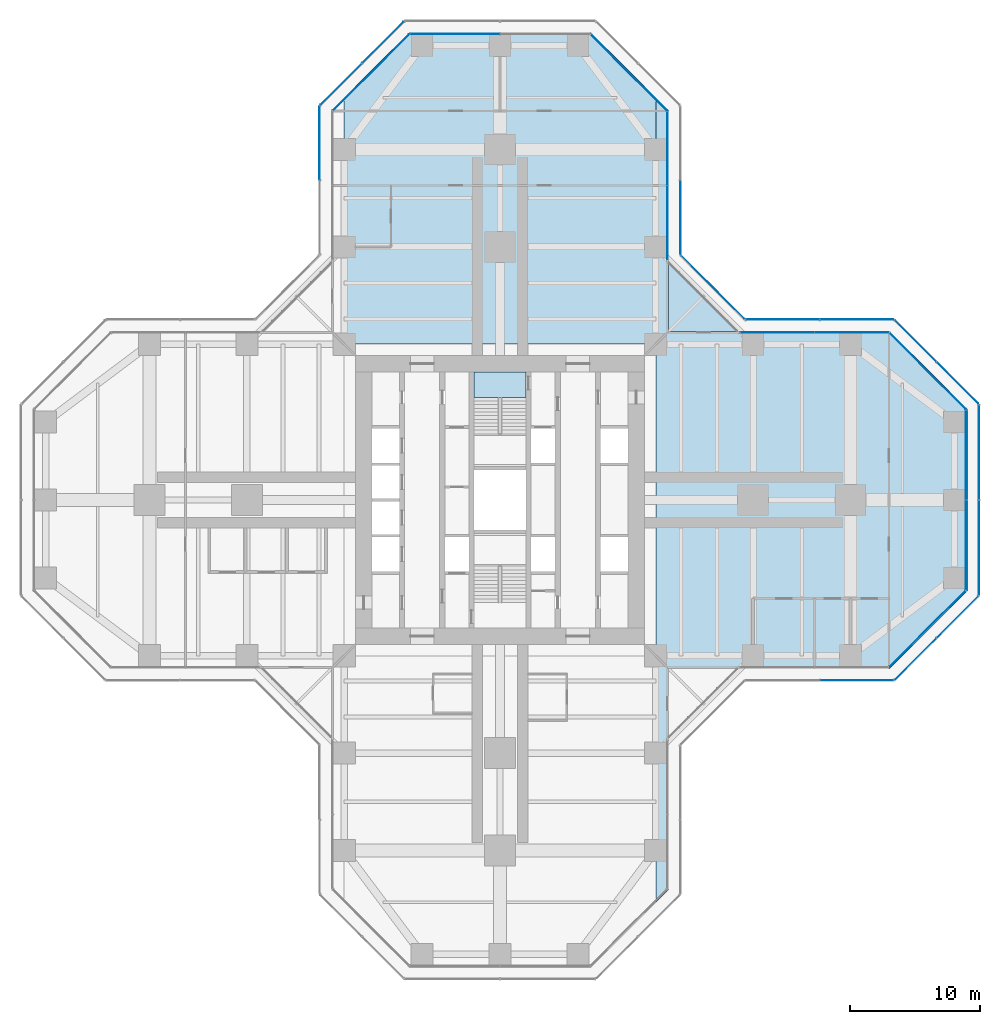
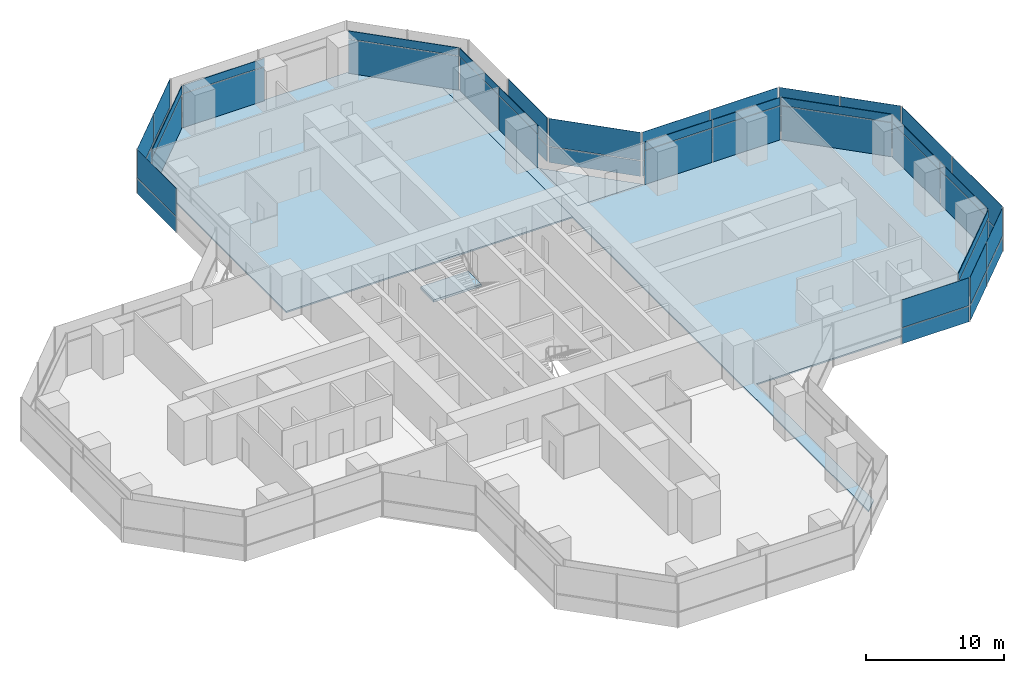
# One storey, part 16 of 22: 50 plates, 4 slabs, 18 elements without a shape of their own.
"""IFC4 building model written with IfcOpenShell, lengths in metres."""

from ifc_helpers import new_model, si_unit, direction, frame, origin, origin_2d, place, context, subcontext, project, spatial, polyline, rectangle, outline, extrude, material, layer, layer_set, type_object, element, aggregate, save


model = new_model("IFC4")

# Units and contexts
model_context = context("Model", 3, precision=1e-05, world=origin(), true_north=direction((0.0, 1.0)))
body_context = subcontext(model_context, "Body", "Model", "MODEL_VIEW")
ifc_project = project(units=[si_unit("LENGTHUNIT", "METRE"), si_unit("AREAUNIT", "SQUARE_METRE"), si_unit("VOLUMEUNIT", "CUBIC_METRE"), si_unit("PLANEANGLEUNIT", "RADIAN"), si_unit("MASSUNIT", "GRAM", prefix="KILO")], contexts=[model_context])

# Site, building, storey
site_placement = place(None, origin())
site = spatial("IfcSite", under=ifc_project, at=site_placement, CompositionType="ELEMENT")
building_placement = place(site_placement, origin())
building = spatial("IfcBuilding", under=site, at=building_placement, Name="Mizan Broadcast Tower", CompositionType="ELEMENT")
storey_placement = place(building_placement, frame((0.0, 0.0, 47.39990234375)))
storey = spatial("IfcBuildingStorey", under=building, at=storey_placement, Name="L08", CompositionType="ELEMENT", Elevation=47.39990234375)

# Slabs
ifc_material_1 = material(Name="Concrete C32/40", Category="concrete")
ifc_layer_1 = layer(ifc_material_1, 0.1298828125)
ifc_layer_set_1 = layer_set([ifc_layer_1], Name="Concrete C32/40")
slab_type_1 = type_object("IfcSlabType", Name="COMPOSITE DECK SLAB 130", PredefinedType="FLOOR", material=ifc_layer_set_1)
slab_1_placement = place(storey_placement, frame((0.0, 0.0, -0.1298828125)))
element("IfcSlab", 1, at=slab_1_placement, inside=storey, type_object=slab_type_1, Name="Floor slab L08 east arm", PredefinedType="FLOOR", context=body_context, shape_type="SweptSolid", body=[
    extrude(outline(polyline([(12.0, -31.0), (13.0, -30.0), (13.0, -13.0), (30.0, -13.0), (36.0, -7.0), (36.0, 7.0), (30.0, 13.0), (13.0, 13.0), (13.0, 30.0), (12.0, 31.0), (12.0, -31.0)])), origin(), (0.0, 0.0, 1.0), 0.1298828125),
])
slab_2_placement = place(storey_placement, frame((0.0, 0.0, -0.1298828125)))
element("IfcSlab", 2, at=slab_2_placement, inside=storey, type_object=slab_type_1, Name="Floor slab L08 north arm", PredefinedType="FLOOR", context=body_context, shape_type="SweptSolid", body=[
    extrude(outline(polyline([(-7.0, 36.0), (-12.0, 31.0), (-12.0, 12.0), (12.0, 12.0), (12.0, 31.0), (7.0, 36.0), (-7.0, 36.0)])), origin(), (0.0, 0.0, 1.0), 0.1298828125),
])

# Curtain wall, plate
ifc_material_2 = material(Name="Aluminium framed glazing", Category="aluminium")
curtain_wall_type_1 = type_object("IfcCurtainWallType", Name="INNER SKIN LOW ZONE", PredefinedType="USERDEFINED", material=ifc_material_2)
curtain_wall_1_placement = place(storey_placement, origin())
curtain_wall_1 = element("IfcCurtainWall", 3, at=curtain_wall_1_placement, inside=storey, type_object=curtain_wall_type_1, Name="Inner skin low zone L08 E chamfer", ObjectType="INNER SKIN LOW ZONE", PredefinedType="USERDEFINED")
ifc_material_3 = material(Name="Double glazing, clear low-e", Category="glass")
ifc_layer_2 = layer(ifc_material_3, 0.028076171875)
ifc_layer_set_2 = layer_set([ifc_layer_2], Name="Double glazing, clear low-e")
plate_type_1 = type_object("IfcPlateType", Name="INNER SKIN GLAZING UNIT", PredefinedType="CURTAIN_PANEL", material=ifc_layer_set_2)
plate_1_placement = place(storey_placement, frame((32.92919921875, -9.92919921875, 0.0), z_axis=(0.0, 0.0, 1.0), x_axis=(0.707106781187, 0.707106781187, 0.0)))
plate_1 = element("IfcPlate", 4, at=plate_1_placement, type_object=plate_type_1, Name="Inner skin low zone L08 E chamfer panel 1.1", PredefinedType="CURTAIN_PANEL", context=body_context, shape_type="SweptSolid", body=[
    extrude(rectangle(XDim=8.282470703125, YDim=0.028076171875, at=origin_2d()), origin(), (0.0, 0.0, 1.0), 3.0),
])

# Curtain wall, plates
curtain_wall_2_placement = place(storey_placement, origin())
curtain_wall_2 = element("IfcCurtainWall", 5, at=curtain_wall_2_placement, inside=storey, type_object=curtain_wall_type_1, Name="Inner skin low zone L08 E end", ObjectType="INNER SKIN LOW ZONE", PredefinedType="USERDEFINED")
plate_2_placement = place(storey_placement, frame((35.89990234375, -3.46435546875, 0.0), z_axis=(0.0, 0.0, 1.0), x_axis=(0.0, 1.0, 0.0)))
plate_2 = element("IfcPlate", 6, at=plate_2_placement, type_object=plate_type_1, Name="Inner skin low zone L08 E end panel 1.1", PredefinedType="CURTAIN_PANEL", context=body_context, shape_type="SweptSolid", body=[
    extrude(rectangle(XDim=6.86865234375, YDim=0.028076171875, at=origin_2d()), origin(), (0.0, 0.0, 1.0), 3.0),
])
plate_3_placement = place(storey_placement, frame((35.89990234375, 3.46435546875, 0.0), z_axis=(0.0, 0.0, 1.0), x_axis=(0.0, 1.0, 0.0)))
plate_3 = element("IfcPlate", 7, at=plate_3_placement, type_object=plate_type_1, Name="Inner skin low zone L08 E end panel 2.1", PredefinedType="CURTAIN_PANEL", context=body_context, shape_type="SweptSolid", body=[
    extrude(rectangle(XDim=6.86865234375, YDim=0.028076171875, at=origin_2d()), origin(), (0.0, 0.0, 1.0), 3.0),
])

# Curtain wall, plate
curtain_wall_3_placement = place(storey_placement, origin())
curtain_wall_3 = element("IfcCurtainWall", 8, at=curtain_wall_3_placement, inside=storey, type_object=curtain_wall_type_1, Name="Inner skin low zone L08 E chamfer", ObjectType="INNER SKIN LOW ZONE", PredefinedType="USERDEFINED")
plate_4_placement = place(storey_placement, frame((32.92919921875, 9.92919921875, 0.0), z_axis=(0.0, 0.0, 1.0), x_axis=(-0.707106781187, 0.707106781187, 0.0)))
plate_4 = element("IfcPlate", 9, at=plate_4_placement, type_object=plate_type_1, Name="Inner skin low zone L08 E chamfer panel 1.1", PredefinedType="CURTAIN_PANEL", context=body_context, shape_type="SweptSolid", body=[
    extrude(rectangle(XDim=8.282470703125, YDim=0.028076171875, at=origin_2d()), origin(), (0.0, 0.0, 1.0), 3.0),
])

# Curtain wall, plates
curtain_wall_4_placement = place(storey_placement, origin())
curtain_wall_4 = element("IfcCurtainWall", 10, at=curtain_wall_4_placement, inside=storey, type_object=curtain_wall_type_1, Name="Inner skin low zone L08 E side", ObjectType="INNER SKIN LOW ZONE", PredefinedType="USERDEFINED")
plate_5_placement = place(storey_placement, frame((27.078857421875, 12.89990234375, 0.0), z_axis=(0.0, 0.0, 1.0), x_axis=(-1.0, 0.0, 0.0)))
plate_5 = element("IfcPlate", 11, at=plate_5_placement, type_object=plate_type_1, Name="Inner skin low zone L08 E side panel 1.1", PredefinedType="CURTAIN_PANEL", context=body_context, shape_type="SweptSolid", body=[
    extrude(rectangle(XDim=5.639404296875, YDim=0.028076171875, at=origin_2d()), origin(), (0.0, 0.0, 1.0), 3.0),
])
plate_6_placement = place(storey_placement, frame((21.379638671875, 12.89990234375, 0.0), z_axis=(0.0, 0.0, 1.0), x_axis=(-1.0, 0.0, 0.0)))
plate_6 = element("IfcPlate", 12, at=plate_6_placement, type_object=plate_type_1, Name="Inner skin low zone L08 E side panel 2.1", PredefinedType="CURTAIN_PANEL", context=body_context, shape_type="SweptSolid", body=[
    extrude(rectangle(XDim=5.639404296875, YDim=0.028076171875, at=origin_2d()), origin(), (0.0, 0.0, 1.0), 3.0),
])

curtain_wall_5_placement = place(storey_placement, origin())
curtain_wall_5 = element("IfcCurtainWall", 13, at=curtain_wall_5_placement, inside=storey, type_object=curtain_wall_type_1, Name="Inner skin low zone L08 N side", ObjectType="INNER SKIN LOW ZONE", PredefinedType="USERDEFINED")
plate_7_placement = place(storey_placement, frame((12.89990234375, 21.379638671875, 0.0), z_axis=(0.0, 0.0, 1.0), x_axis=(0.0, 1.0, 0.0)))
plate_7 = element("IfcPlate", 14, at=plate_7_placement, type_object=plate_type_1, Name="Inner skin low zone L08 N side panel 1.1", PredefinedType="CURTAIN_PANEL", context=body_context, shape_type="SweptSolid", body=[
    extrude(rectangle(XDim=5.639404296875, YDim=0.028076171875, at=origin_2d()), origin(), (0.0, 0.0, 1.0), 3.0),
])
plate_8_placement = place(storey_placement, frame((12.89990234375, 27.078857421875, 0.0), z_axis=(0.0, 0.0, 1.0), x_axis=(0.0, 1.0, 0.0)))
plate_8 = element("IfcPlate", 15, at=plate_8_placement, type_object=plate_type_1, Name="Inner skin low zone L08 N side panel 2.1", PredefinedType="CURTAIN_PANEL", context=body_context, shape_type="SweptSolid", body=[
    extrude(rectangle(XDim=5.639404296875, YDim=0.028076171875, at=origin_2d()), origin(), (0.0, 0.0, 1.0), 3.0),
])

# Curtain wall, plate
curtain_wall_6_placement = place(storey_placement, origin())
curtain_wall_6 = element("IfcCurtainWall", 16, at=curtain_wall_6_placement, inside=storey, type_object=curtain_wall_type_1, Name="Inner skin low zone L08 N chamfer", ObjectType="INNER SKIN LOW ZONE", PredefinedType="USERDEFINED")
plate_9_placement = place(storey_placement, frame((9.92919921875, 32.92919921875, 0.0), z_axis=(0.0, 0.0, 1.0), x_axis=(-0.707106781187, 0.707106781187, 0.0)))
plate_9 = element("IfcPlate", 17, at=plate_9_placement, type_object=plate_type_1, Name="Inner skin low zone L08 N chamfer panel 1.1", PredefinedType="CURTAIN_PANEL", context=body_context, shape_type="SweptSolid", body=[
    extrude(rectangle(XDim=8.282470703125, YDim=0.028076171875, at=origin_2d()), origin(), (0.0, 0.0, 1.0), 3.0),
])

curtain_wall_7_placement = place(storey_placement, origin())
curtain_wall_7 = element("IfcCurtainWall", 18, at=curtain_wall_7_placement, inside=storey, type_object=curtain_wall_type_1, Name="Inner skin low zone L08 N end", ObjectType="INNER SKIN LOW ZONE", PredefinedType="USERDEFINED")
plate_10_placement = place(storey_placement, frame((-3.46435546875, 35.89990234375, 0.0), z_axis=(0.0, 0.0, 1.0), x_axis=(-1.0, 0.0, 0.0)))
plate_10 = element("IfcPlate", 19, at=plate_10_placement, type_object=plate_type_1, Name="Inner skin low zone L08 N end panel 2.1", PredefinedType="CURTAIN_PANEL", context=body_context, shape_type="SweptSolid", body=[
    extrude(rectangle(XDim=6.86865234375, YDim=0.028076171875, at=origin_2d()), origin(), (0.0, 0.0, 1.0), 3.0),
])

curtain_wall_8_placement = place(storey_placement, origin())
curtain_wall_8 = element("IfcCurtainWall", 20, at=curtain_wall_8_placement, inside=storey, type_object=curtain_wall_type_1, Name="Inner skin low zone L08 N chamfer", ObjectType="INNER SKIN LOW ZONE", PredefinedType="USERDEFINED")
plate_11_placement = place(storey_placement, frame((-9.92919921875, 32.92919921875, 0.0), z_axis=(0.0, 0.0, 1.0), x_axis=(-0.707106781187, -0.707106781187, 0.0)))
plate_11 = element("IfcPlate", 21, at=plate_11_placement, type_object=plate_type_1, Name="Inner skin low zone L08 N chamfer panel 1.1", PredefinedType="CURTAIN_PANEL", context=body_context, shape_type="SweptSolid", body=[
    extrude(rectangle(XDim=8.282470703125, YDim=0.028076171875, at=origin_2d()), origin(), (0.0, 0.0, 1.0), 3.0),
])

# Plate
ifc_material_4 = material(Name="Insulated aluminium spandrel panel, pale anodised", Category="aluminium")
ifc_layer_3 = layer(ifc_material_4, 0.050048828125)
ifc_layer_set_3 = layer_set([ifc_layer_3], Name="Insulated aluminium spandrel panel, pale anodised")
plate_type_2 = type_object("IfcPlateType", Name="INNER SKIN SPANDREL PANEL", PredefinedType="CURTAIN_PANEL", material=ifc_layer_set_3)
plate_12_placement = place(storey_placement, frame((32.92919921875, -9.92919921875, 3.06005859375), z_axis=(0.0, 0.0, 1.0), x_axis=(0.707106781187, 0.707106781187, 0.0)))
plate_12 = element("IfcPlate", 22, at=plate_12_placement, type_object=plate_type_2, Name="Inner skin low zone L08 E chamfer panel 1.2", PredefinedType="CURTAIN_PANEL", context=body_context, shape_type="SweptSolid", body=[
    extrude(rectangle(XDim=8.282470703125, YDim=0.050048828125, at=origin_2d()), origin(), (0.0, 0.0, 1.0), 0.7099609375),
])

aggregate(curtain_wall_1, [plate_1, plate_12])

plate_13_placement = place(storey_placement, frame((35.89990234375, -3.46435546875, 3.06005859375), z_axis=(0.0, 0.0, 1.0), x_axis=(0.0, 1.0, 0.0)))
plate_13 = element("IfcPlate", 23, at=plate_13_placement, type_object=plate_type_2, Name="Inner skin low zone L08 E end panel 1.2", PredefinedType="CURTAIN_PANEL", context=body_context, shape_type="SweptSolid", body=[
    extrude(rectangle(XDim=6.86865234375, YDim=0.050048828125, at=origin_2d()), origin(), (0.0, 0.0, 1.0), 0.7099609375),
])

plate_14_placement = place(storey_placement, frame((35.89990234375, 3.46435546875, 3.06005859375), z_axis=(0.0, 0.0, 1.0), x_axis=(0.0, 1.0, 0.0)))
plate_14 = element("IfcPlate", 24, at=plate_14_placement, type_object=plate_type_2, Name="Inner skin low zone L08 E end panel 2.2", PredefinedType="CURTAIN_PANEL", context=body_context, shape_type="SweptSolid", body=[
    extrude(rectangle(XDim=6.86865234375, YDim=0.050048828125, at=origin_2d()), origin(), (0.0, 0.0, 1.0), 0.7099609375),
])

aggregate(curtain_wall_2, [plate_2, plate_13, plate_3, plate_14])

plate_15_placement = place(storey_placement, frame((32.92919921875, 9.92919921875, 3.06005859375), z_axis=(0.0, 0.0, 1.0), x_axis=(-0.707106781187, 0.707106781187, 0.0)))
plate_15 = element("IfcPlate", 25, at=plate_15_placement, type_object=plate_type_2, Name="Inner skin low zone L08 E chamfer panel 1.2", PredefinedType="CURTAIN_PANEL", context=body_context, shape_type="SweptSolid", body=[
    extrude(rectangle(XDim=8.282470703125, YDim=0.050048828125, at=origin_2d()), origin(), (0.0, 0.0, 1.0), 0.7099609375),
])

aggregate(curtain_wall_3, [plate_4, plate_15])

plate_16_placement = place(storey_placement, frame((27.078857421875, 12.89990234375, 3.06005859375), z_axis=(0.0, 0.0, 1.0), x_axis=(-1.0, 0.0, 0.0)))
plate_16 = element("IfcPlate", 26, at=plate_16_placement, type_object=plate_type_2, Name="Inner skin low zone L08 E side panel 1.2", PredefinedType="CURTAIN_PANEL", context=body_context, shape_type="SweptSolid", body=[
    extrude(rectangle(XDim=5.639404296875, YDim=0.050048828125, at=origin_2d()), origin(), (0.0, 0.0, 1.0), 0.7099609375),
])

plate_17_placement = place(storey_placement, frame((21.379638671875, 12.89990234375, 3.06005859375), z_axis=(0.0, 0.0, 1.0), x_axis=(-1.0, 0.0, 0.0)))
plate_17 = element("IfcPlate", 27, at=plate_17_placement, type_object=plate_type_2, Name="Inner skin low zone L08 E side panel 2.2", PredefinedType="CURTAIN_PANEL", context=body_context, shape_type="SweptSolid", body=[
    extrude(rectangle(XDim=5.639404296875, YDim=0.050048828125, at=origin_2d()), origin(), (0.0, 0.0, 1.0), 0.7099609375),
])

aggregate(curtain_wall_4, [plate_5, plate_16, plate_6, plate_17])

plate_18_placement = place(storey_placement, frame((12.89990234375, 21.379638671875, 3.06005859375), z_axis=(0.0, 0.0, 1.0), x_axis=(0.0, 1.0, 0.0)))
plate_18 = element("IfcPlate", 28, at=plate_18_placement, type_object=plate_type_2, Name="Inner skin low zone L08 N side panel 1.2", PredefinedType="CURTAIN_PANEL", context=body_context, shape_type="SweptSolid", body=[
    extrude(rectangle(XDim=5.639404296875, YDim=0.050048828125, at=origin_2d()), origin(), (0.0, 0.0, 1.0), 0.7099609375),
])

plate_19_placement = place(storey_placement, frame((12.89990234375, 27.078857421875, 3.06005859375), z_axis=(0.0, 0.0, 1.0), x_axis=(0.0, 1.0, 0.0)))
plate_19 = element("IfcPlate", 29, at=plate_19_placement, type_object=plate_type_2, Name="Inner skin low zone L08 N side panel 2.2", PredefinedType="CURTAIN_PANEL", context=body_context, shape_type="SweptSolid", body=[
    extrude(rectangle(XDim=5.639404296875, YDim=0.050048828125, at=origin_2d()), origin(), (0.0, 0.0, 1.0), 0.7099609375),
])

aggregate(curtain_wall_5, [plate_7, plate_18, plate_8, plate_19])

plate_20_placement = place(storey_placement, frame((9.92919921875, 32.92919921875, 3.06005859375), z_axis=(0.0, 0.0, 1.0), x_axis=(-0.707106781187, 0.707106781187, 0.0)))
plate_20 = element("IfcPlate", 30, at=plate_20_placement, type_object=plate_type_2, Name="Inner skin low zone L08 N chamfer panel 1.2", PredefinedType="CURTAIN_PANEL", context=body_context, shape_type="SweptSolid", body=[
    extrude(rectangle(XDim=8.282470703125, YDim=0.050048828125, at=origin_2d()), origin(), (0.0, 0.0, 1.0), 0.7099609375),
])

aggregate(curtain_wall_6, [plate_9, plate_20])

plate_21_placement = place(storey_placement, frame((-3.46435546875, 35.89990234375, 3.06005859375), z_axis=(0.0, 0.0, 1.0), x_axis=(-1.0, 0.0, 0.0)))
plate_21 = element("IfcPlate", 31, at=plate_21_placement, type_object=plate_type_2, Name="Inner skin low zone L08 N end panel 2.2", PredefinedType="CURTAIN_PANEL", context=body_context, shape_type="SweptSolid", body=[
    extrude(rectangle(XDim=6.86865234375, YDim=0.050048828125, at=origin_2d()), origin(), (0.0, 0.0, 1.0), 0.7099609375),
])

aggregate(curtain_wall_7, [plate_10, plate_21])

plate_22_placement = place(storey_placement, frame((-9.92919921875, 32.92919921875, 3.06005859375), z_axis=(0.0, 0.0, 1.0), x_axis=(-0.707106781187, -0.707106781187, 0.0)))
plate_22 = element("IfcPlate", 32, at=plate_22_placement, type_object=plate_type_2, Name="Inner skin low zone L08 N chamfer panel 1.2", PredefinedType="CURTAIN_PANEL", context=body_context, shape_type="SweptSolid", body=[
    extrude(rectangle(XDim=8.282470703125, YDim=0.050048828125, at=origin_2d()), origin(), (0.0, 0.0, 1.0), 0.7099609375),
])

aggregate(curtain_wall_8, [plate_11, plate_22])

# Curtain wall, plates
ifc_material_5 = material(Name="Aluminium framed glazing", Category="aluminium")
curtain_wall_type_2 = type_object("IfcCurtainWallType", Name="OUTER SKIN", PredefinedType="USERDEFINED", material=ifc_material_5)
curtain_wall_9_placement = place(storey_placement, origin())
curtain_wall_9 = element("IfcCurtainWall", 33, at=curtain_wall_9_placement, inside=storey, type_object=curtain_wall_type_2, Name="Outer skin L08 E chamfer", ObjectType="OUTER SKIN", PredefinedType="USERDEFINED")
ifc_material_6 = material(Name="Laminated clear glass", Category="glass")
ifc_layer_4 = layer(ifc_material_6, 0.02001953125)
ifc_layer_set_4 = layer_set([ifc_layer_4], Name="Laminated clear glass")
plate_type_3 = type_object("IfcPlateType", Name="OUTER SKIN CLEAR GLASS", PredefinedType="CURTAIN_PANEL", material=ifc_layer_set_4)
plate_23_placement = place(storey_placement, frame((32.018798828125, -12.254150390625, 0.0), z_axis=(0.0, 0.0, 1.0), x_axis=(0.707106781187, 0.707106781187, 0.0)))
plate_23 = element("IfcPlate", 34, at=plate_23_placement, type_object=plate_type_3, Name="Outer skin L08 E chamfer panel 1.1", PredefinedType="CURTAIN_PANEL", context=body_context, shape_type="SweptSolid", body=[
    extrude(rectangle(XDim=4.495361328125, YDim=0.02001953125, at=origin_2d()), origin(), (0.0, 0.0, 1.0), 1.3701171875),
])
plate_24_placement = place(storey_placement, frame((32.018798828125, -12.254150390625, 1.43017578125), z_axis=(0.0, 0.0, 1.0), x_axis=(0.707106781187, 0.707106781187, 0.0)))
plate_24 = element("IfcPlate", 35, at=plate_24_placement, type_object=plate_type_3, Name="Outer skin L08 E chamfer panel 1.2", PredefinedType="CURTAIN_PANEL", context=body_context, shape_type="SweptSolid", body=[
    extrude(rectangle(XDim=4.495361328125, YDim=0.02001953125, at=origin_2d()), origin(), (0.0, 0.0, 1.0), 2.469970703125),
])

curtain_wall_10_placement = place(storey_placement, origin())
curtain_wall_10 = element("IfcCurtainWall", 36, at=curtain_wall_10_placement, inside=storey, type_object=curtain_wall_type_2, Name="Outer skin L08 E end", ObjectType="OUTER SKIN", PredefinedType="USERDEFINED")
plate_25_placement = place(storey_placement, frame((36.89990234375, -3.66650390625, 0.0), z_axis=(0.0, 0.0, 1.0), x_axis=(0.0, 1.0, 0.0)))
plate_25 = element("IfcPlate", 37, at=plate_25_placement, type_object=plate_type_3, Name="Outer skin L08 E end panel 1.1", PredefinedType="CURTAIN_PANEL", context=body_context, shape_type="SweptSolid", body=[
    extrude(rectangle(XDim=7.252685546875, YDim=0.02001953125, at=origin_2d()), origin(), (0.0, 0.0, 1.0), 1.3701171875),
])
plate_26_placement = place(storey_placement, frame((36.89990234375, -3.66650390625, 1.43017578125), z_axis=(0.0, 0.0, 1.0), x_axis=(0.0, 1.0, 0.0)))
plate_26 = element("IfcPlate", 38, at=plate_26_placement, type_object=plate_type_3, Name="Outer skin L08 E end panel 1.2", PredefinedType="CURTAIN_PANEL", context=body_context, shape_type="SweptSolid", body=[
    extrude(rectangle(XDim=7.252685546875, YDim=0.02001953125, at=origin_2d()), origin(), (0.0, 0.0, 1.0), 2.469970703125),
])

curtain_wall_11_placement = place(storey_placement, origin())
curtain_wall_11 = element("IfcCurtainWall", 39, at=curtain_wall_11_placement, inside=storey, type_object=curtain_wall_type_2, Name="Outer skin L08 E chamfer", ObjectType="OUTER SKIN", PredefinedType="USERDEFINED")
plate_27_placement = place(storey_placement, frame((35.254150390625, 9.018798828125, 0.0), z_axis=(0.0, 0.0, 1.0), x_axis=(-0.707106781187, 0.707106781187, 0.0)))
plate_27 = element("IfcPlate", 40, at=plate_27_placement, type_object=plate_type_3, Name="Outer skin L08 E chamfer panel 1.1", PredefinedType="CURTAIN_PANEL", context=body_context, shape_type="SweptSolid", body=[
    extrude(rectangle(XDim=4.495361328125, YDim=0.02001953125, at=origin_2d()), origin(), (0.0, 0.0, 1.0), 1.3701171875),
])
plate_28_placement = place(storey_placement, frame((35.254150390625, 9.018798828125, 1.43017578125), z_axis=(0.0, 0.0, 1.0), x_axis=(-0.707106781187, 0.707106781187, 0.0)))
plate_28 = element("IfcPlate", 41, at=plate_28_placement, type_object=plate_type_3, Name="Outer skin L08 E chamfer panel 1.2", PredefinedType="CURTAIN_PANEL", context=body_context, shape_type="SweptSolid", body=[
    extrude(rectangle(XDim=4.495361328125, YDim=0.02001953125, at=origin_2d()), origin(), (0.0, 0.0, 1.0), 2.469970703125),
])

curtain_wall_12_placement = place(storey_placement, origin())
curtain_wall_12 = element("IfcCurtainWall", 42, at=curtain_wall_12_placement, inside=storey, type_object=curtain_wall_type_2, Name="Outer skin L08 E side", ObjectType="OUTER SKIN", PredefinedType="USERDEFINED")
plate_29_placement = place(storey_placement, frame((27.477783203125, 13.89990234375, 0.0), z_axis=(0.0, 0.0, 1.0), x_axis=(-1.0, 0.0, 0.0)))
plate_29 = element("IfcPlate", 43, at=plate_29_placement, type_object=plate_type_3, Name="Outer skin L08 E side panel 1.1", PredefinedType="CURTAIN_PANEL", context=body_context, shape_type="SweptSolid", body=[
    extrude(rectangle(XDim=5.6298828125, YDim=0.02001953125, at=origin_2d()), origin(), (0.0, 0.0, 1.0), 1.3701171875),
])
plate_30_placement = place(storey_placement, frame((27.477783203125, 13.89990234375, 1.43017578125), z_axis=(0.0, 0.0, 1.0), x_axis=(-1.0, 0.0, 0.0)))
plate_30 = element("IfcPlate", 44, at=plate_30_placement, type_object=plate_type_3, Name="Outer skin L08 E side panel 1.2", PredefinedType="CURTAIN_PANEL", context=body_context, shape_type="SweptSolid", body=[
    extrude(rectangle(XDim=5.6298828125, YDim=0.02001953125, at=origin_2d()), origin(), (0.0, 0.0, 1.0), 2.469970703125),
])
plate_31_placement = place(storey_placement, frame((21.767822265625, 13.89990234375, 0.0), z_axis=(0.0, 0.0, 1.0), x_axis=(-1.0, 0.0, 0.0)))
plate_31 = element("IfcPlate", 45, at=plate_31_placement, type_object=plate_type_3, Name="Outer skin L08 E side panel 2.1", PredefinedType="CURTAIN_PANEL", context=body_context, shape_type="SweptSolid", body=[
    extrude(rectangle(XDim=5.6298828125, YDim=0.02001953125, at=origin_2d()), origin(), (0.0, 0.0, 1.0), 1.3701171875),
])
plate_32_placement = place(storey_placement, frame((21.767822265625, 13.89990234375, 1.43017578125), z_axis=(0.0, 0.0, 1.0), x_axis=(-1.0, 0.0, 0.0)))
plate_32 = element("IfcPlate", 46, at=plate_32_placement, type_object=plate_type_3, Name="Outer skin L08 E side panel 2.2", PredefinedType="CURTAIN_PANEL", context=body_context, shape_type="SweptSolid", body=[
    extrude(rectangle(XDim=5.6298828125, YDim=0.02001953125, at=origin_2d()), origin(), (0.0, 0.0, 1.0), 2.469970703125),
])
aggregate(curtain_wall_12, [plate_29, plate_30, plate_31, plate_32])

curtain_wall_13_placement = place(storey_placement, origin())
curtain_wall_13 = element("IfcCurtainWall", 47, at=curtain_wall_13_placement, inside=storey, type_object=curtain_wall_type_2, Name="Outer skin L08 E chamfer", ObjectType="OUTER SKIN", PredefinedType="USERDEFINED")
plate_33_placement = place(storey_placement, frame((16.386474609375, 16.386474609375, 0.0), z_axis=(0.0, 0.0, 1.0), x_axis=(-0.707106781187, 0.707106781187, 0.0)))
plate_33 = element("IfcPlate", 48, at=plate_33_placement, type_object=plate_type_3, Name="Outer skin L08 E chamfer panel 1.1", PredefinedType="CURTAIN_PANEL", context=body_context, shape_type="SweptSolid", body=[
    extrude(rectangle(XDim=6.87255859375, YDim=0.02001953125, at=origin_2d()), origin(), (0.0, 0.0, 1.0), 1.3701171875),
])
plate_34_placement = place(storey_placement, frame((16.386474609375, 16.386474609375, 1.43017578125), z_axis=(0.0, 0.0, 1.0), x_axis=(-0.707106781187, 0.707106781187, 0.0)))
plate_34 = element("IfcPlate", 49, at=plate_34_placement, type_object=plate_type_3, Name="Outer skin L08 E chamfer panel 1.2", PredefinedType="CURTAIN_PANEL", context=body_context, shape_type="SweptSolid", body=[
    extrude(rectangle(XDim=6.87255859375, YDim=0.02001953125, at=origin_2d()), origin(), (0.0, 0.0, 1.0), 2.469970703125),
])
aggregate(curtain_wall_13, [plate_33, plate_34])

curtain_wall_14_placement = place(storey_placement, origin())
curtain_wall_14 = element("IfcCurtainWall", 50, at=curtain_wall_14_placement, inside=storey, type_object=curtain_wall_type_2, Name="Outer skin L08 N side", ObjectType="OUTER SKIN", PredefinedType="USERDEFINED")
plate_35_placement = place(storey_placement, frame((13.89990234375, 21.767822265625, 0.0), z_axis=(0.0, 0.0, 1.0), x_axis=(0.0, 1.0, 0.0)))
plate_35 = element("IfcPlate", 51, at=plate_35_placement, type_object=plate_type_3, Name="Outer skin L08 N side panel 1.1", PredefinedType="CURTAIN_PANEL", context=body_context, shape_type="SweptSolid", body=[
    extrude(rectangle(XDim=5.6298828125, YDim=0.02001953125, at=origin_2d()), origin(), (0.0, 0.0, 1.0), 1.3701171875),
])
plate_36_placement = place(storey_placement, frame((13.89990234375, 21.767822265625, 1.43017578125), z_axis=(0.0, 0.0, 1.0), x_axis=(0.0, 1.0, 0.0)))
plate_36 = element("IfcPlate", 52, at=plate_36_placement, type_object=plate_type_3, Name="Outer skin L08 N side panel 1.2", PredefinedType="CURTAIN_PANEL", context=body_context, shape_type="SweptSolid", body=[
    extrude(rectangle(XDim=5.6298828125, YDim=0.02001953125, at=origin_2d()), origin(), (0.0, 0.0, 1.0), 2.469970703125),
])
aggregate(curtain_wall_14, [plate_35, plate_36])

curtain_wall_15_placement = place(storey_placement, origin())
curtain_wall_15 = element("IfcCurtainWall", 53, at=curtain_wall_15_placement, inside=storey, type_object=curtain_wall_type_2, Name="Outer skin L08 N chamfer", ObjectType="OUTER SKIN", PredefinedType="USERDEFINED")
plate_37_placement = place(storey_placement, frame((-9.018798828125, 35.254150390625, 0.0), z_axis=(0.0, 0.0, 1.0), x_axis=(-0.707106781187, -0.707106781187, 0.0)))
plate_37 = element("IfcPlate", 54, at=plate_37_placement, type_object=plate_type_3, Name="Outer skin L08 N chamfer panel 1.1", PredefinedType="CURTAIN_PANEL", context=body_context, shape_type="SweptSolid", body=[
    extrude(rectangle(XDim=4.495361328125, YDim=0.02001953125, at=origin_2d()), origin(), (0.0, 0.0, 1.0), 1.3701171875),
])
plate_38_placement = place(storey_placement, frame((-9.018798828125, 35.254150390625, 1.43017578125), z_axis=(0.0, 0.0, 1.0), x_axis=(-0.707106781187, -0.707106781187, 0.0)))
plate_38 = element("IfcPlate", 55, at=plate_38_placement, type_object=plate_type_3, Name="Outer skin L08 N chamfer panel 1.2", PredefinedType="CURTAIN_PANEL", context=body_context, shape_type="SweptSolid", body=[
    extrude(rectangle(XDim=4.495361328125, YDim=0.02001953125, at=origin_2d()), origin(), (0.0, 0.0, 1.0), 2.469970703125),
])

curtain_wall_16_placement = place(storey_placement, origin())
curtain_wall_16 = element("IfcCurtainWall", 56, at=curtain_wall_16_placement, inside=storey, type_object=curtain_wall_type_2, Name="Outer skin L08 N side", ObjectType="OUTER SKIN", PredefinedType="USERDEFINED")
plate_39_placement = place(storey_placement, frame((-13.89990234375, 27.477783203125, 0.0), z_axis=(0.0, 0.0, 1.0), x_axis=(0.0, -1.0, 0.0)))
plate_39 = element("IfcPlate", 57, at=plate_39_placement, type_object=plate_type_3, Name="Outer skin L08 N side panel 1.1", PredefinedType="CURTAIN_PANEL", context=body_context, shape_type="SweptSolid", body=[
    extrude(rectangle(XDim=5.6298828125, YDim=0.02001953125, at=origin_2d()), origin(), (0.0, 0.0, 1.0), 1.3701171875),
])
plate_40_placement = place(storey_placement, frame((-13.89990234375, 27.477783203125, 1.43017578125), z_axis=(0.0, 0.0, 1.0), x_axis=(0.0, -1.0, 0.0)))
plate_40 = element("IfcPlate", 58, at=plate_40_placement, type_object=plate_type_3, Name="Outer skin L08 N side panel 1.2", PredefinedType="CURTAIN_PANEL", context=body_context, shape_type="SweptSolid", body=[
    extrude(rectangle(XDim=5.6298828125, YDim=0.02001953125, at=origin_2d()), origin(), (0.0, 0.0, 1.0), 2.469970703125),
])
aggregate(curtain_wall_16, [plate_39, plate_40])

# Plate
ifc_material_7 = material(Name="Perforated aluminium, pale anodised", Category="aluminium")
ifc_layer_5 = layer(ifc_material_7, 0.011962890625)
ifc_layer_set_5 = layer_set([ifc_layer_5], Name="Perforated aluminium, pale anodised")
plate_type_4 = type_object("IfcPlateType", Name="OUTER SKIN PERFORATED SCREEN", PredefinedType="USERDEFINED", material=ifc_layer_set_5)
plate_41_placement = place(storey_placement, frame((35.254150390625, -9.018798828125, 0.0), z_axis=(0.0, 0.0, 1.0), x_axis=(0.707106781187, 0.707106781187, 0.0)))
plate_41 = element("IfcPlate", 59, at=plate_41_placement, type_object=plate_type_4, Name="Outer skin L08 E chamfer panel 2.1", ObjectType="SCREEN", PredefinedType="USERDEFINED", context=body_context, shape_type="SweptSolid", body=[
    extrude(rectangle(XDim=4.495361328125, YDim=0.011962890625, at=origin_2d()), origin(), (0.0, 0.0, 1.0), 1.3701171875),
])

plate_42_placement = place(storey_placement, frame((35.254150390625, -9.018798828125, 1.43017578125), z_axis=(0.0, 0.0, 1.0), x_axis=(0.707106781187, 0.707106781187, 0.0)))
plate_42 = element("IfcPlate", 60, at=plate_42_placement, type_object=plate_type_4, Name="Outer skin L08 E chamfer panel 2.2", ObjectType="SCREEN", PredefinedType="USERDEFINED", context=body_context, shape_type="SweptSolid", body=[
    extrude(rectangle(XDim=4.495361328125, YDim=0.011962890625, at=origin_2d()), origin(), (0.0, 0.0, 1.0), 2.469970703125),
])

aggregate(curtain_wall_9, [plate_23, plate_24, plate_41, plate_42])

plate_43_placement = place(storey_placement, frame((36.89990234375, 3.66650390625, 0.0), z_axis=(0.0, 0.0, 1.0), x_axis=(0.0, 1.0, 0.0)))
plate_43 = element("IfcPlate", 61, at=plate_43_placement, type_object=plate_type_4, Name="Outer skin L08 E end panel 2.1", ObjectType="SCREEN", PredefinedType="USERDEFINED", context=body_context, shape_type="SweptSolid", body=[
    extrude(rectangle(XDim=7.252685546875, YDim=0.011962890625, at=origin_2d()), origin(), (0.0, 0.0, 1.0), 1.3701171875),
])

plate_44_placement = place(storey_placement, frame((36.89990234375, 3.66650390625, 1.43017578125), z_axis=(0.0, 0.0, 1.0), x_axis=(0.0, 1.0, 0.0)))
plate_44 = element("IfcPlate", 62, at=plate_44_placement, type_object=plate_type_4, Name="Outer skin L08 E end panel 2.2", ObjectType="SCREEN", PredefinedType="USERDEFINED", context=body_context, shape_type="SweptSolid", body=[
    extrude(rectangle(XDim=7.252685546875, YDim=0.011962890625, at=origin_2d()), origin(), (0.0, 0.0, 1.0), 2.469970703125),
])

aggregate(curtain_wall_10, [plate_25, plate_26, plate_43, plate_44])

plate_45_placement = place(storey_placement, frame((32.018798828125, 12.254150390625, 0.0), z_axis=(0.0, 0.0, 1.0), x_axis=(-0.707106781187, 0.707106781187, 0.0)))
plate_45 = element("IfcPlate", 63, at=plate_45_placement, type_object=plate_type_4, Name="Outer skin L08 E chamfer panel 2.1", ObjectType="SCREEN", PredefinedType="USERDEFINED", context=body_context, shape_type="SweptSolid", body=[
    extrude(rectangle(XDim=4.495361328125, YDim=0.011962890625, at=origin_2d()), origin(), (0.0, 0.0, 1.0), 1.3701171875),
])

plate_46_placement = place(storey_placement, frame((32.018798828125, 12.254150390625, 1.43017578125), z_axis=(0.0, 0.0, 1.0), x_axis=(-0.707106781187, 0.707106781187, 0.0)))
plate_46 = element("IfcPlate", 64, at=plate_46_placement, type_object=plate_type_4, Name="Outer skin L08 E chamfer panel 2.2", ObjectType="SCREEN", PredefinedType="USERDEFINED", context=body_context, shape_type="SweptSolid", body=[
    extrude(rectangle(XDim=4.495361328125, YDim=0.011962890625, at=origin_2d()), origin(), (0.0, 0.0, 1.0), 2.469970703125),
])

aggregate(curtain_wall_11, [plate_27, plate_28, plate_45, plate_46])

plate_47_placement = place(storey_placement, frame((-12.254150390625, 32.018798828125, 0.0), z_axis=(0.0, 0.0, 1.0), x_axis=(-0.707106781187, -0.707106781187, 0.0)))
plate_47 = element("IfcPlate", 65, at=plate_47_placement, type_object=plate_type_4, Name="Outer skin L08 N chamfer panel 2.1", ObjectType="SCREEN", PredefinedType="USERDEFINED", context=body_context, shape_type="SweptSolid", body=[
    extrude(rectangle(XDim=4.495361328125, YDim=0.011962890625, at=origin_2d()), origin(), (0.0, 0.0, 1.0), 1.3701171875),
])

plate_48_placement = place(storey_placement, frame((-12.254150390625, 32.018798828125, 1.43017578125), z_axis=(0.0, 0.0, 1.0), x_axis=(-0.707106781187, -0.707106781187, 0.0)))
plate_48 = element("IfcPlate", 66, at=plate_48_placement, type_object=plate_type_4, Name="Outer skin L08 N chamfer panel 2.2", ObjectType="SCREEN", PredefinedType="USERDEFINED", context=body_context, shape_type="SweptSolid", body=[
    extrude(rectangle(XDim=4.495361328125, YDim=0.011962890625, at=origin_2d()), origin(), (0.0, 0.0, 1.0), 2.469970703125),
])

aggregate(curtain_wall_15, [plate_37, plate_38, plate_47, plate_48])

# Curtain wall, plates
curtain_wall_17_placement = place(storey_placement, origin())
curtain_wall_17 = element("IfcCurtainWall", 67, at=curtain_wall_17_placement, inside=storey, type_object=curtain_wall_type_2, Name="Outer skin L08 E side", ObjectType="OUTER SKIN", PredefinedType="USERDEFINED")
plate_49_placement = place(storey_placement, frame((27.477783203125, -13.89990234375, 0.0), z_axis=(0.0, 0.0, 1.0), x_axis=(1.0, 0.0, 0.0)))
plate_49 = element("IfcPlate", 68, at=plate_49_placement, type_object=plate_type_4, Name="Outer skin L08 E side panel 2.1", ObjectType="SCREEN", PredefinedType="USERDEFINED", context=body_context, shape_type="SweptSolid", body=[
    extrude(rectangle(XDim=5.6298828125, YDim=0.011962890625, at=origin_2d()), origin(), (0.0, 0.0, 1.0), 1.3701171875),
])
plate_50_placement = place(storey_placement, frame((27.477783203125, -13.89990234375, 1.43017578125), z_axis=(0.0, 0.0, 1.0), x_axis=(1.0, 0.0, 0.0)))
plate_50 = element("IfcPlate", 69, at=plate_50_placement, type_object=plate_type_4, Name="Outer skin L08 E side panel 2.2", ObjectType="SCREEN", PredefinedType="USERDEFINED", context=body_context, shape_type="SweptSolid", body=[
    extrude(rectangle(XDim=5.6298828125, YDim=0.011962890625, at=origin_2d()), origin(), (0.0, 0.0, 1.0), 2.469970703125),
])
aggregate(curtain_wall_17, [plate_49, plate_50])

# Stair, slab
ifc_material_8 = material(Name="Concrete C40/50", Category="concrete")
stair_type = type_object("IfcStairType", Name="EXIT STAIR", PredefinedType="HALF_TURN_STAIR", material=ifc_material_8)
stair_placement = place(storey_placement, origin())
stair = element("IfcStair", 70, at=stair_placement, inside=storey, type_object=stair_type, Name="Stair B L08", PredefinedType="HALF_TURN_STAIR")
ifc_material_9 = material(Name="Concrete C40/50", Category="concrete")
ifc_layer_6 = layer(ifc_material_9, 0.199951171875)
ifc_layer_set_6 = layer_set([ifc_layer_6], Name="Concrete C40/50")
slab_type_2 = type_object("IfcSlabType", Name="STAIR LANDING 200", PredefinedType="LANDING", material=ifc_layer_set_6)
slab_3_placement = place(storey_placement, frame((0.0, 0.0, -0.199951171875)))
slab_3 = element("IfcSlab", 71, at=slab_3_placement, type_object=slab_type_2, Name="B landing 1", PredefinedType="LANDING", context=body_context, shape_type="SweptSolid", body=[
    extrude(outline(polyline([(2.0, 9.85009765625), (2.0, 7.89990234375), (-2.0, 7.89990234375), (-2.0, 9.85009765625), (2.0, 9.85009765625)])), origin(), (0.0, 0.0, 1.0), 0.199951171875),
])
aggregate(stair, [slab_3])

# Slab
ifc_material_10 = material(Name="Concrete C32/40", Category="concrete")
ifc_layer_7 = layer(ifc_material_10, 0.1298828125)
ifc_layer_set_7 = layer_set([ifc_layer_7], Name="Concrete C32/40")
slab_type_3 = type_object("IfcSlabType", Name="WINTER GARDEN SLAB 130", PredefinedType="FLOOR", material=ifc_layer_set_7)
slab_4_placement = place(storey_placement, frame((0.0, 0.0, -0.1298828125)))
element("IfcSlab", 72, at=slab_4_placement, inside=storey, type_object=slab_type_3, Name="Winter garden slab L08 E", PredefinedType="FLOOR", context=body_context, shape_type="SweptSolid", body=[
    extrude(outline(polyline([(13.0, 13.0), (18.5, 13.0), (13.0, 18.5), (13.0, 13.0)])), origin(), (0.0, 0.0, 1.0), 0.1298828125),
])

save(model, "model.ifc")
